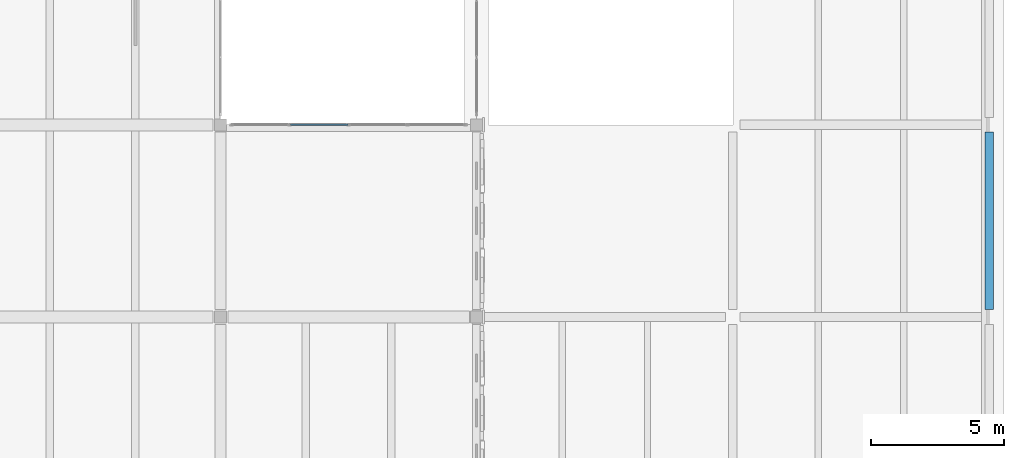
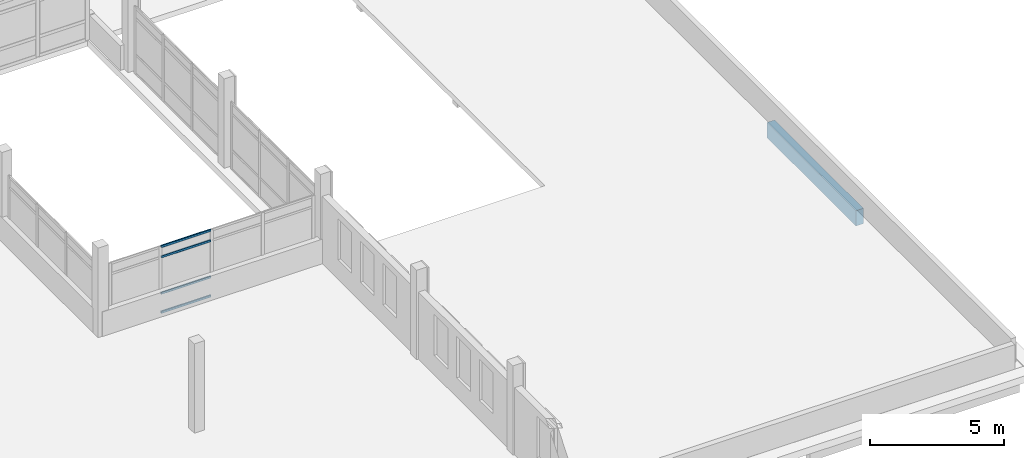
# One storey, part 22 of 50: 4 members, 1 beam, 1 element without a shape of its own.
"""IFC4 building model written with IfcOpenShell, lengths in metres."""

from ifc_helpers import new_model, si_unit, direction, frame, origin, origin_2d, place, context, subcontext, project, spatial, rectangle, hollow_rectangle, extrude, material, layer, layer_set, material_profile, profile_set, type_object, element, aggregate, save


model = new_model("IFC4")

# Units and contexts
model_context = context("Model", 3, precision=1e-05, world=origin(), true_north=direction((0.0, 1.0)))
body_context = subcontext(model_context, "Body", "Model", "MODEL_VIEW")
ifc_project = project(units=[si_unit("LENGTHUNIT", "METRE"), si_unit("AREAUNIT", "SQUARE_METRE"), si_unit("VOLUMEUNIT", "CUBIC_METRE"), si_unit("PLANEANGLEUNIT", "RADIAN"), si_unit("MASSUNIT", "GRAM", prefix="KILO")], contexts=[model_context])

# Site, building, storey
site_placement = place(None, origin())
site = spatial("IfcSite", under=ifc_project, at=site_placement, CompositionType="ELEMENT")
building_placement = place(site_placement, origin())
building = spatial("IfcBuilding", under=site, at=building_placement, Name="Asteropetra Specialist Clinic", CompositionType="ELEMENT")
storey_placement = place(building_placement, frame((0.0, 0.0, 16.659912109375)))
storey = spatial("IfcBuildingStorey", under=building, at=storey_placement, Name="L04", CompositionType="ELEMENT", Elevation=16.659912109375)

# Curtain wall, members
ifc_material_1 = material(Name="Aluminium and low-E glass", Category="aluminium")
ifc_layer = layer(ifc_material_1, 0.14990234375)
ifc_layer_set = layer_set([ifc_layer], Name="Aluminium and low-E glass")
curtain_wall_type = type_object("IfcCurtainWallType", Name="CW-SYS-08", PredefinedType="USERDEFINED", material=ifc_layer_set)
curtain_wall_placement = place(storey_placement, origin())
curtain_wall = element("IfcCurtainWall", 1, at=curtain_wall_placement, inside=storey, type_object=curtain_wall_type, Name="Curtain Wall CW-089", ObjectType="STICK GLAZED COLONNADE", PredefinedType="USERDEFINED")
ifc_material_2 = material(Name="Aluminium 6063-T6", Category="aluminium")
ifc_material_profile_1 = material_profile(ifc_material_2, hollow_rectangle(XDim=0.06005859375, YDim=0.10009765625, WallThickness=0.00341796875, InnerFilletRadius=0.00341796875, OuterFilletRadius=0.007080078125, at=origin_2d()), Name="TRN 100x60x3.5")
ifc_profile_set_1 = profile_set([ifc_material_profile_1], Name="Aluminium 6063-T6")
member_type = type_object("IfcMemberType", Name="CWT-100x60", PredefinedType="USERDEFINED", material=ifc_profile_set_1)
member_1_placement = place(storey_placement, frame((127.422607421875, 19.199951171875, 0.030029296875), z_axis=(1.0, 0.0, 0.0), x_axis=(0.0, 1.0, 0.0)))
member_1 = element("IfcMember", 2, at=member_1_placement, type_object=member_type, Name="CW-089 transom 2.1", ObjectType="TRANSOM", PredefinedType="USERDEFINED", context=body_context, shape_type="SweptSolid", body=[
    extrude(hollow_rectangle(XDim=0.06005859375, YDim=0.10009765625, WallThickness=0.00341796875, InnerFilletRadius=0.00341796875, OuterFilletRadius=0.007080078125, at=origin_2d()), origin(), (0.0, 0.0, 1.0), 2.1474609375),
])
member_2_placement = place(storey_placement, frame((127.422607421875, 19.199951171875, 0.900146484375), z_axis=(1.0, 0.0, 0.0), x_axis=(0.0, 1.0, 0.0)))
member_2 = element("IfcMember", 3, at=member_2_placement, type_object=member_type, Name="CW-089 transom 2.2", ObjectType="TRANSOM", PredefinedType="USERDEFINED", context=body_context, shape_type="SweptSolid", body=[
    extrude(hollow_rectangle(XDim=0.06005859375, YDim=0.10009765625, WallThickness=0.00341796875, InnerFilletRadius=0.00341796875, OuterFilletRadius=0.007080078125, at=origin_2d()), origin(), (0.0, 0.0, 1.0), 2.1474609375),
])
member_3_placement = place(storey_placement, frame((127.422607421875, 19.199951171875, 2.56005859375), z_axis=(1.0, 0.0, 0.0), x_axis=(0.0, 1.0, 0.0)))
member_3 = element("IfcMember", 4, at=member_3_placement, type_object=member_type, Name="CW-089 transom 2.3", ObjectType="TRANSOM", PredefinedType="USERDEFINED", context=body_context, shape_type="SweptSolid", body=[
    extrude(hollow_rectangle(XDim=0.06005859375, YDim=0.10009765625, WallThickness=0.00341796875, InnerFilletRadius=0.00341796875, OuterFilletRadius=0.007080078125, at=origin_2d()), origin(), (0.0, 0.0, 1.0), 2.1474609375),
])
member_4_placement = place(storey_placement, frame((127.422607421875, 19.199951171875, 3.030029296875), z_axis=(1.0, 0.0, 0.0), x_axis=(0.0, 1.0, 0.0)))
member_4 = element("IfcMember", 5, at=member_4_placement, type_object=member_type, Name="CW-089 transom 2.4", ObjectType="TRANSOM", PredefinedType="USERDEFINED", context=body_context, shape_type="SweptSolid", body=[
    extrude(hollow_rectangle(XDim=0.06005859375, YDim=0.10009765625, WallThickness=0.00341796875, InnerFilletRadius=0.00341796875, OuterFilletRadius=0.007080078125, at=origin_2d()), origin(), (0.0, 0.0, 1.0), 2.1474609375),
])
aggregate(curtain_wall, [member_1, member_2, member_3, member_4])

# Beam
ifc_material_3 = material(Name="Concrete C35/45", Category="concrete")
ifc_material_profile_2 = material_profile(ifc_material_3, rectangle(XDim=0.320068359375, YDim=0.699951171875, at=origin_2d()), Name="RCS 320x700")
ifc_profile_set_2 = profile_set([ifc_material_profile_2], Name="Concrete C35/45")
beam_type = type_object("IfcBeamType", Name="SPN-RC320x700", PredefinedType="SPANDREL", material=ifc_profile_set_2)
beam_placement = place(storey_placement, frame((153.60009765625, 12.27490234375, -0.599853515625), z_axis=(0.0, 1.0, 0.0), x_axis=(-1.0, 0.0, 0.0)))
element("IfcBeam", 6, at=beam_placement, inside=storey, type_object=beam_type, Name="Beam BSPN02-1954", PredefinedType="SPANDREL", context=body_context, shape_type="SweptSolid", body=[
    extrude(rectangle(XDim=0.320068359375, YDim=0.699951171875, at=origin_2d()), origin(), (0.0, 0.0, 1.0), 6.650146484375),
])

save(model, "model.ifc")
